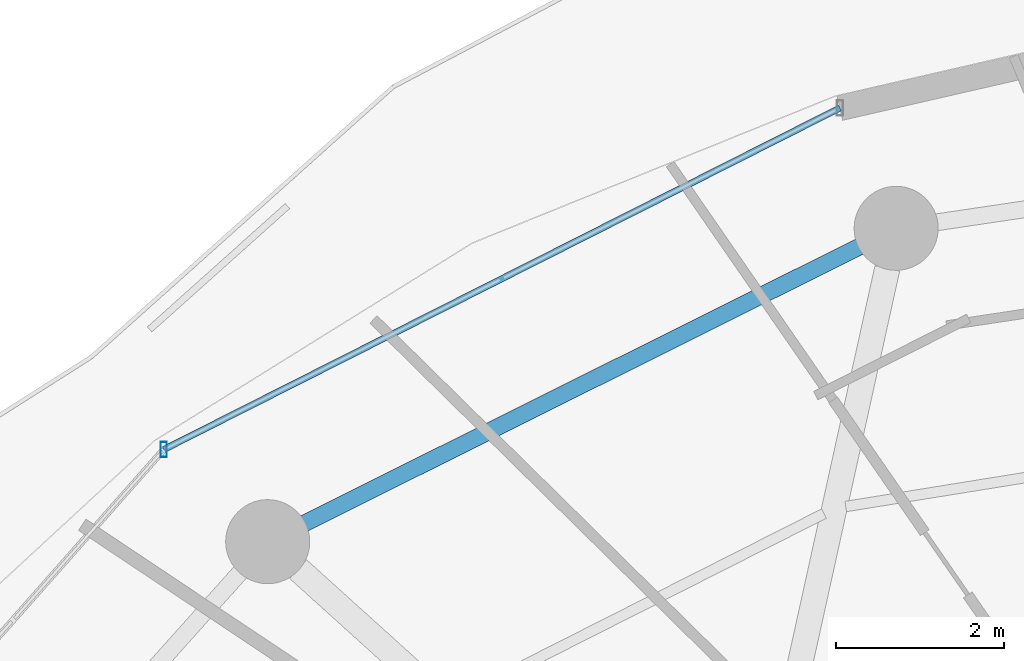
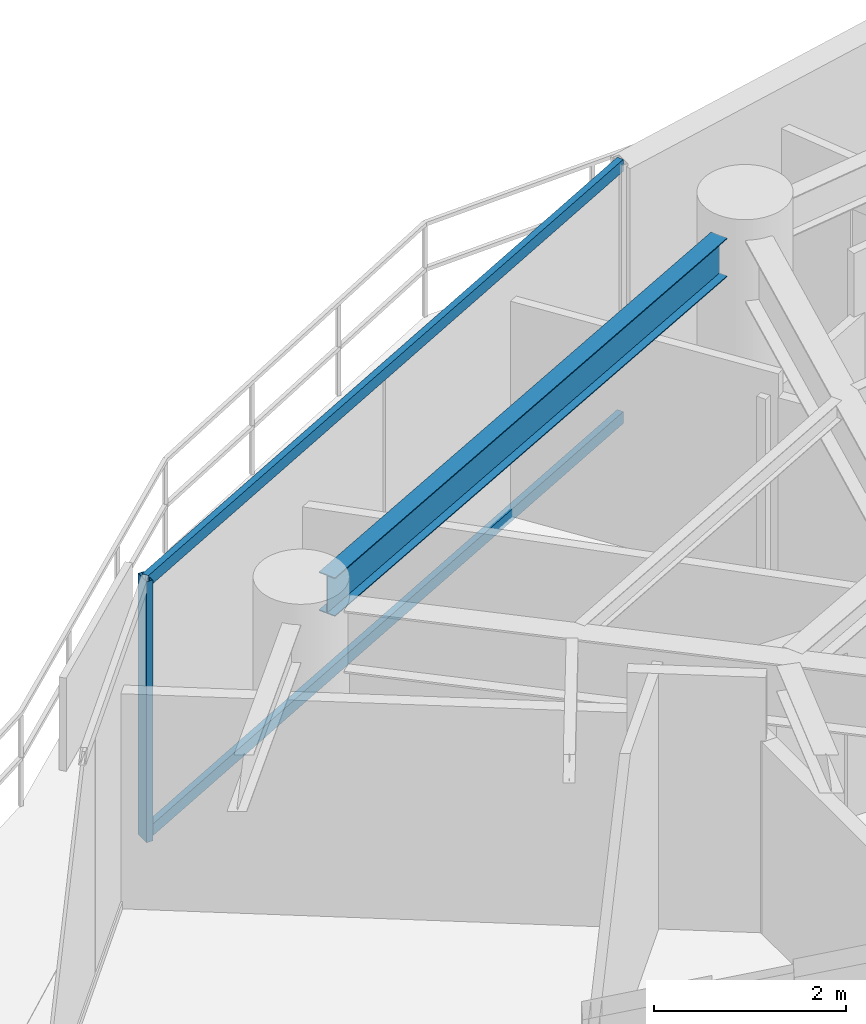
# One storey, part 16 of 30: 3 members, 1 beam, 1 element without a shape of its own.
"""IFC4 building model written with IfcOpenShell, lengths in metres."""

from ifc_helpers import new_model, si_unit, direction, frame, origin, origin_2d, place, context, subcontext, project, spatial, hollow_rectangle, i_section, extrude, material, material_profile, profile_set, type_object, element, aggregate, save


model = new_model("IFC4")

# Units and contexts
model_context = context("Model", 3, precision=1e-05, world=origin(), true_north=direction((0.0, 1.0)))
body_context = subcontext(model_context, "Body", "Model", "MODEL_VIEW")
ifc_project = project(units=[si_unit("LENGTHUNIT", "METRE"), si_unit("AREAUNIT", "SQUARE_METRE"), si_unit("VOLUMEUNIT", "CUBIC_METRE"), si_unit("PLANEANGLEUNIT", "RADIAN"), si_unit("MASSUNIT", "GRAM", prefix="KILO")], contexts=[model_context])

# Site, building, storey
site_placement = place(None, origin())
site = spatial("IfcSite", under=ifc_project, at=site_placement, CompositionType="ELEMENT")
building_placement = place(site_placement, origin())
building = spatial("IfcBuilding", under=site, at=building_placement, Name="Vorneva Point Tower", CompositionType="ELEMENT")
storey_placement = place(building_placement, frame((0.0, 0.0, 153.60009765625)))
storey = spatial("IfcBuildingStorey", under=building, at=storey_placement, Name="L41", CompositionType="ELEMENT", Elevation=153.60009765625)

# Beam
ifc_material_1 = material(Name="Steel S355", Category="steel")
ifc_material_profile_1 = material_profile(ifc_material_1, i_section(OverallWidth=0.199951171875, OverallDepth=0.491943359375, WebThickness=0.0087890625, FlangeThickness=0.011962890625, at=origin_2d()), Name="50B1")
ifc_profile_set_1 = profile_set([ifc_material_profile_1], Name="Steel S355")
beam_type = type_object("IfcBeamType", Name="BM-SPN-50B1", PredefinedType="SPANDREL", material=ifc_profile_set_1)
beam_placement = place(storey_placement, frame((28.7451171875, 41.67431640625, 2.993896484375), z_axis=(-0.894929061397, -0.446208443518, 0.0), x_axis=(0.446208443518, -0.894929061397, 0.0)))
element("IfcBeam", 1, at=beam_placement, inside=storey, type_object=beam_type, Name="L41 Perimeter Spandrel Ring Beam 06", PredefinedType="SPANDREL", context=body_context, shape_type="SweptSolid", body=[
    extrude(i_section(OverallWidth=0.199951171875, OverallDepth=0.491943359375, WebThickness=0.0087890625, FlangeThickness=0.011962890625, at=origin_2d()), origin(), (0.0, 0.0, 1.0), 7.385986328125),
])

# Curtain wall, members
ifc_material_2 = material(Name="Pale anodised aluminium", Category="aluminium")
curtain_wall_type = type_object("IfcCurtainWallType", Name="CW-RES-SYS", PredefinedType="NOTDEFINED", material=ifc_material_2)
curtain_wall_placement = place(storey_placement, origin())
curtain_wall = element("IfcCurtainWall", 2, at=curtain_wall_placement, inside=storey, type_object=curtain_wall_type, Name="L41 Unitised Curtain Wall CW-L41-R03", PredefinedType="NOTDEFINED")
ifc_material_profile_2 = material_profile(ifc_material_2, hollow_rectangle(XDim=0.074951171875, YDim=0.179931640625, WallThickness=0.00390625, at=origin_2d()), Name="AL-MUL 180x75x4")
ifc_profile_set_2 = profile_set([ifc_material_profile_2], Name="Pale anodised aluminium")
member_type_1 = type_object("IfcMemberType", Name="CW-MUL-180", PredefinedType="MULLION", material=ifc_profile_set_2)
member_1_placement = place(storey_placement, frame((20.4638671875, 39.25830078125, -0.0400390625), z_axis=(0.0, 0.0, 1.0), x_axis=(1.0, 0.0, 0.0)))
member_1 = element("IfcMember", 3, at=member_1_placement, type_object=member_type_1, Name="CW-L41-R03 Mullion 02", PredefinedType="MULLION", context=body_context, shape_type="SweptSolid", body=[
    extrude(hollow_rectangle(XDim=0.074951171875, YDim=0.179931640625, WallThickness=0.00390625, at=origin_2d()), origin(), (0.0, 0.0, 1.0), 3.31005859375),
])
ifc_material_profile_3 = material_profile(ifc_material_2, hollow_rectangle(XDim=0.074951171875, YDim=0.14990234375, WallThickness=0.00390625, at=origin_2d()), Name="AL-TRN 150x75x4")
ifc_profile_set_3 = profile_set([ifc_material_profile_3], Name="Pale anodised aluminium")
member_type_2 = type_object("IfcMemberType", Name="CW-TRN-150", PredefinedType="USERDEFINED", material=ifc_profile_set_3)
member_2_placement = place(storey_placement, frame((28.509521484375, 43.32275390625, 0.02001953125), z_axis=(-0.892572392955, -0.450904117673, 0.0), x_axis=(0.450904117673, -0.892572392955, 0.0)))
member_2 = element("IfcMember", 4, at=member_2_placement, type_object=member_type_2, Name="CW-L41-R03 Transom 01.1", ObjectType="TRANSOM", PredefinedType="USERDEFINED", context=body_context, shape_type="SweptSolid", body=[
    extrude(hollow_rectangle(XDim=0.074951171875, YDim=0.14990234375, WallThickness=0.00390625, at=origin_2d()), origin(), (0.0, 0.0, 1.0), 9.013916015625),
])
member_3_placement = place(storey_placement, frame((28.509521484375, 43.32275390625, 3.219970703125), z_axis=(-0.892572392955, -0.450904117673, 0.0), x_axis=(0.450904117673, -0.892572392955, 0.0)))
member_3 = element("IfcMember", 5, at=member_3_placement, type_object=member_type_2, Name="CW-L41-R03 Transom 01.2", ObjectType="TRANSOM", PredefinedType="USERDEFINED", context=body_context, shape_type="SweptSolid", body=[
    extrude(hollow_rectangle(XDim=0.074951171875, YDim=0.14990234375, WallThickness=0.00390625, at=origin_2d()), origin(), (0.0, 0.0, 1.0), 9.013916015625),
])
aggregate(curtain_wall, [member_1, member_2, member_3])

save(model, "model.ifc")
